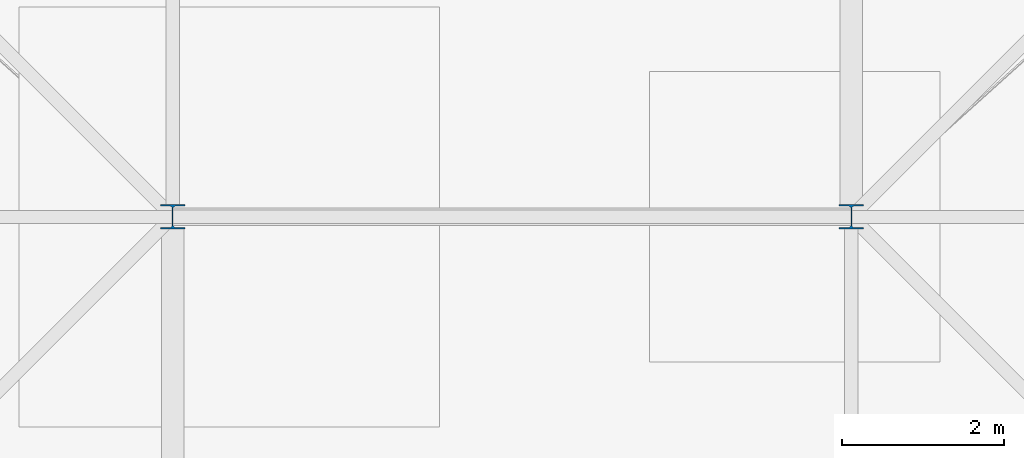
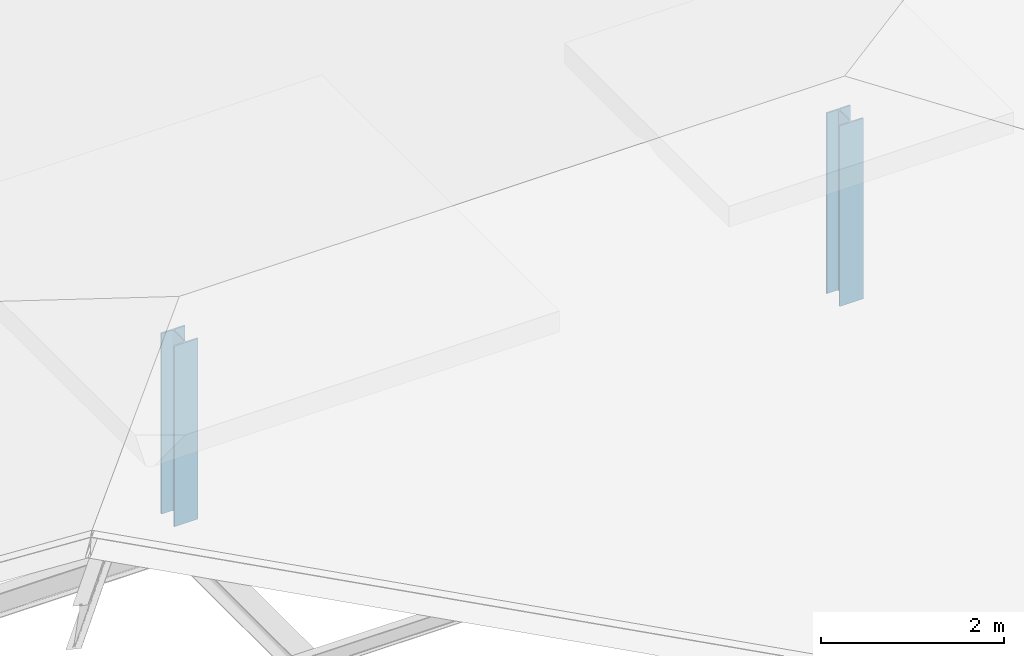
# One storey, part 1 of 35: 2 columns.
"""IFC4 building model written with IfcOpenShell, lengths in metres."""

from ifc_helpers import new_model, si_unit, direction, frame, origin, origin_2d, place, context, subcontext, project, spatial, i_section, extrude, material, material_profile, profile_set, type_object, element, save


model = new_model("IFC4")

# Units and contexts
model_context = context("Model", 3, precision=1e-05, world=origin(), true_north=direction((0.0, 1.0)))
body_context = subcontext(model_context, "Body", "Model", "MODEL_VIEW")
ifc_project = project(units=[si_unit("LENGTHUNIT", "METRE"), si_unit("AREAUNIT", "SQUARE_METRE"), si_unit("VOLUMEUNIT", "CUBIC_METRE"), si_unit("PLANEANGLEUNIT", "RADIAN"), si_unit("MASSUNIT", "GRAM", prefix="KILO")], contexts=[model_context])

# Site, building, storey
site_placement = place(None, origin())
site = spatial("IfcSite", under=ifc_project, at=site_placement, CompositionType="ELEMENT")
building_placement = place(site_placement, origin())
building = spatial("IfcBuilding", under=site, at=building_placement, Name="Mersafa Astral City Hall", CompositionType="ELEMENT")
storey_placement = place(building_placement, frame((0.0, 0.0, 30.14990234375)))
storey = spatial("IfcBuildingStorey", under=building, at=storey_placement, Name="L07", CompositionType="ELEMENT", Elevation=30.14990234375)

# Columns
ifc_material = material(Name="Steel S355", Category="steel")
ifc_material_profile = material_profile(ifc_material, i_section(OverallWidth=0.300048828125, OverallDepth=0.300048828125, WebThickness=0.010986328125, FlangeThickness=0.01904296875, FilletRadius=0.027099609375, at=origin_2d()), Name="HEB 300")
ifc_profile_set = profile_set([ifc_material_profile], Name="Steel S355")
column_type = type_object("IfcColumnType", Name="STR-COL-HEB300", PredefinedType="COLUMN", material=ifc_profile_set)
for number, where, z_axis, x_axis, name in (
    (1, (50.39990234375, 117.60009765625, 0.0), (0.0, 0.0, 1.0), (1.0, 0.0, 0.0), "L07 Roof ridge king-post column ROOF-T5-V4N-1"),
    (2, (58.800048828125, 117.60009765625, 0.0), (0.0, 0.0, 1.0), (1.0, 0.0, 0.0), "L07 Roof ridge king-post column ROOF-T5-V4N-2"),
):
    element("IfcColumn", number, at=place(storey_placement, frame(where, z_axis=z_axis, x_axis=x_axis)), inside=storey, type_object=column_type, Name=name, PredefinedType="COLUMN", context=body_context, shape_type="SweptSolid", body=[
        extrude(i_section(OverallWidth=0.300048828125, OverallDepth=0.300048828125, WebThickness=0.010986328125, FlangeThickness=0.01904296875, FilletRadius=0.027099609375, at=origin_2d()), origin(), (0.0, 0.0, 1.0), 2.410888671875),
    ])

save(model, "model.ifc")
